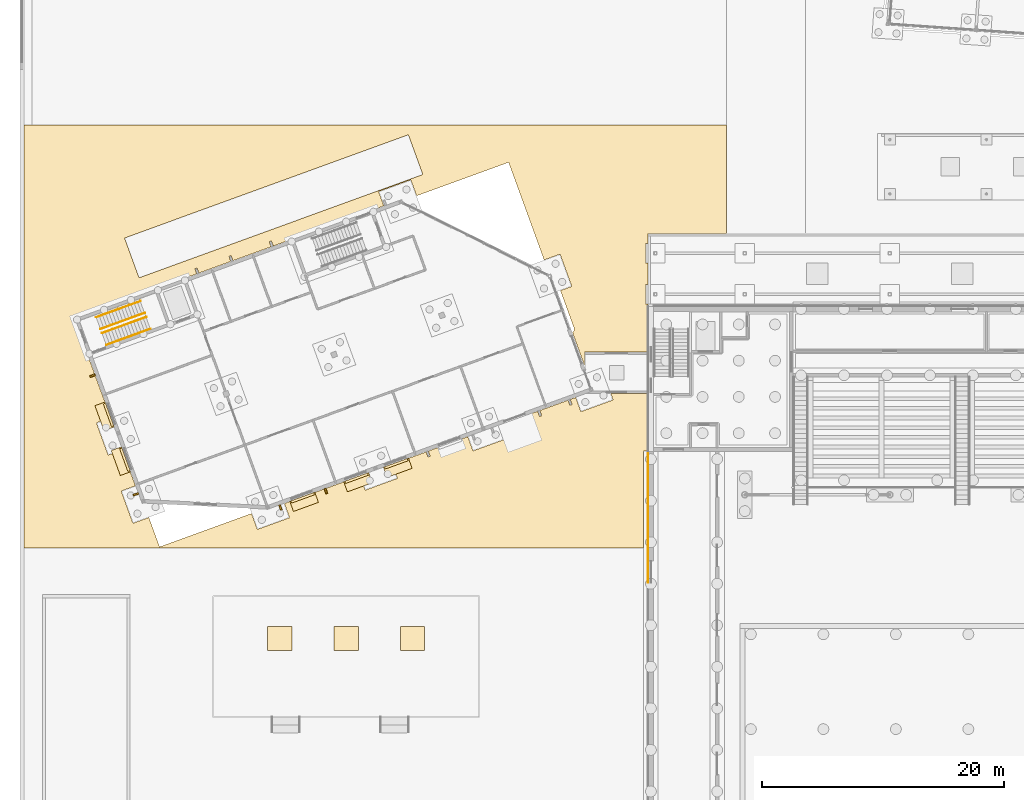
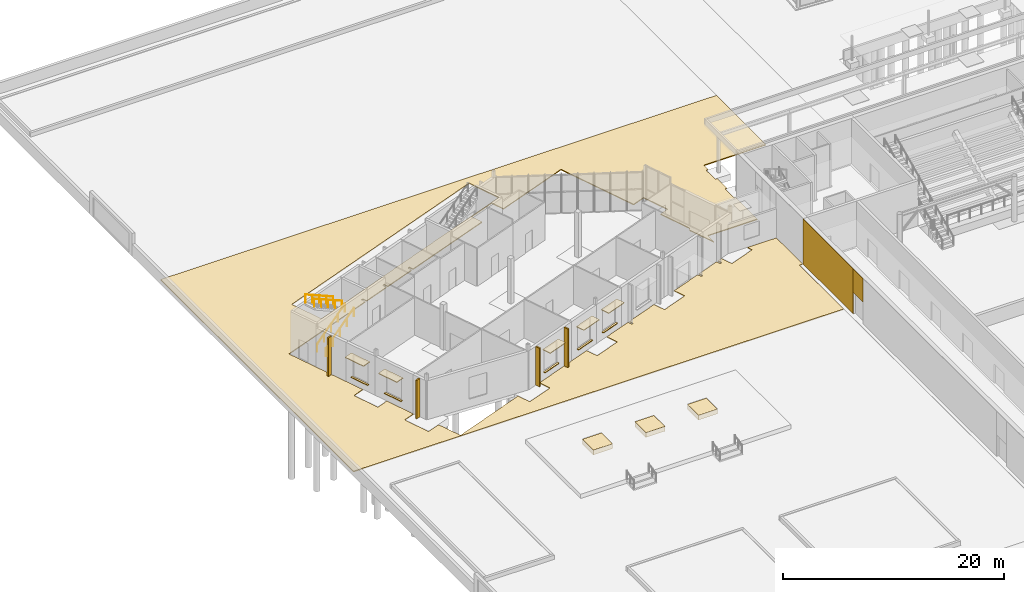
# One storey, part 134 of 157: 16 coverings, 4 railings, 4 shading devices.
"""IFC4 building model written with IfcOpenShell, lengths in metres."""

from ifc_helpers import new_model, si_unit, direction, frame, origin, origin_2d, place, context, subcontext, project, spatial, polyline, circle, outline, extrude, material, layer, layer_set, type_object, element, save


model = new_model("IFC4")

# Units and contexts
model_context = context("Model", 3, precision=1e-05, world=origin(), true_north=direction((0.0, 1.0)))
body_context = subcontext(model_context, "Body", "Model", "MODEL_VIEW")
ifc_project = project(units=[si_unit("LENGTHUNIT", "METRE"), si_unit("AREAUNIT", "SQUARE_METRE"), si_unit("VOLUMEUNIT", "CUBIC_METRE"), si_unit("PLANEANGLEUNIT", "RADIAN"), si_unit("MASSUNIT", "GRAM", prefix="KILO")], contexts=[model_context])

# Site, building, storey
site_placement = place(None, origin())
site = spatial("IfcSite", under=ifc_project, at=site_placement, CompositionType="ELEMENT")
building_placement = place(site_placement, origin())
building = spatial("IfcBuilding", under=site, at=building_placement, Name="Windward Yard Aquatics Centre", CompositionType="ELEMENT")
storey_placement = place(building_placement, origin())
storey = spatial("IfcBuildingStorey", under=building, at=storey_placement, Name="L00", CompositionType="ELEMENT", Elevation=0.0)

# Railings
ifc_material_1 = material(Name="Stainless steel 1.4401", Category="steel")
railing_type = type_object("IfcRailingType", Name="F handrail 900 stainless steel", PredefinedType="HANDRAIL", material=ifc_material_1)
railing_1_placement = place(storey_placement, frame((7.13818359375, 92.80224609375, 0.166748046875)))
element("IfcRailing", 1, at=railing_1_placement, inside=storey, type_object=railing_type, Name="F.RL.H.L00.S1.11", PredefinedType="HANDRAIL", context=body_context, shape_type="SweptSolid", body=[
    extrude(circle(Radius=0.02099609375, at=origin_2d()), frame((0.0, 0.0, 0.87890625), z_axis=(0.807473176695, 0.293918523754, 0.511467467502), x_axis=(-0.342043081867, 0.939684271523, 0.0)), (0.0, 0.0, 1.0), 4.561767578125),
    extrude(circle(Radius=0.01611328125, at=origin_2d()), origin(), (0.0, 0.0, 1.0), 0.85791015625),
    extrude(circle(Radius=0.01611328125, at=origin_2d()), frame((0.9208984375, 0.335205078125, 0.583251953125)), (0.0, 0.0, 1.0), 0.85791015625),
    extrude(circle(Radius=0.01611328125, at=origin_2d()), frame((1.841796875, 0.67041015625, 1.16650390625)), (0.0, 0.0, 1.0), 0.85791015625),
    extrude(circle(Radius=0.01611328125, at=origin_2d()), frame((2.7626953125, 1.005615234375, 1.75)), (0.0, 0.0, 1.0), 0.85791015625),
    extrude(circle(Radius=0.01611328125, at=origin_2d()), frame((3.68359375, 1.3408203125, 2.333251953125)), (0.0, 0.0, 1.0), 0.85791015625),
])
railing_2_placement = place(storey_placement, frame((6.782470703125, 93.779541015625, 0.166748046875)))
element("IfcRailing", 2, at=railing_2_placement, inside=storey, type_object=railing_type, Name="F.RL.H.L00.S1.12", PredefinedType="HANDRAIL", context=body_context, shape_type="SweptSolid", body=[
    extrude(circle(Radius=0.02099609375, at=origin_2d()), frame((0.0, 0.0, 0.87890625), z_axis=(0.807485877235, 0.293869628307, 0.511475512244), x_axis=(-0.34198808625, 0.939704287988, 0.0)), (0.0, 0.0, 1.0), 4.561767578125),
    extrude(circle(Radius=0.01611328125, at=origin_2d()), origin(), (0.0, 0.0, 1.0), 0.85791015625),
    extrude(circle(Radius=0.01611328125, at=origin_2d()), frame((0.9208984375, 0.335205078125, 0.583251953125)), (0.0, 0.0, 1.0), 0.85791015625),
    extrude(circle(Radius=0.01611328125, at=origin_2d()), frame((1.841796875, 0.67041015625, 1.16650390625)), (0.0, 0.0, 1.0), 0.85791015625),
    extrude(circle(Radius=0.01611328125, at=origin_2d()), frame((2.7626953125, 1.00537109375, 1.75)), (0.0, 0.0, 1.0), 0.85791015625),
    extrude(circle(Radius=0.01611328125, at=origin_2d()), frame((3.68359375, 1.340576171875, 2.333251953125)), (0.0, 0.0, 1.0), 0.85791015625),
])
railing_3_placement = place(storey_placement, frame((10.343017578125, 95.45849609375, 2.666748046875)))
element("IfcRailing", 3, at=railing_3_placement, inside=storey, type_object=railing_type, Name="F.RL.H.L00.S1.21", PredefinedType="HANDRAIL", context=body_context, shape_type="SweptSolid", body=[
    extrude(circle(Radius=0.02099609375, at=origin_2d()), frame((0.0, 0.0, 0.87890625), z_axis=(-0.807504498647, -0.293856929026, 0.511453409343), x_axis=(0.341968072062, -0.939711571542, 0.0)), (0.0, 0.0, 1.0), 4.56201171875),
    extrude(circle(Radius=0.01611328125, at=origin_2d()), origin(), (0.0, 0.0, 1.0), 0.85791015625),
    extrude(circle(Radius=0.01611328125, at=origin_2d()), frame((-0.9208984375, -0.335205078125, 0.583251953125)), (0.0, 0.0, 1.0), 0.85791015625),
    extrude(circle(Radius=0.01611328125, at=origin_2d()), frame((-1.841796875, -0.67041015625, 1.16650390625)), (0.0, 0.0, 1.0), 0.85791015625),
    extrude(circle(Radius=0.01611328125, at=origin_2d()), frame((-2.762939453125, -1.00537109375, 1.75)), (0.0, 0.0, 1.0), 0.85791015625),
    extrude(circle(Radius=0.01611328125, at=origin_2d()), frame((-3.683837890625, -1.340576171875, 2.333251953125)), (0.0, 0.0, 1.0), 0.85791015625),
])
railing_4_placement = place(storey_placement, frame((9.9873046875, 96.435791015625, 2.666748046875)))
element("IfcRailing", 4, at=railing_4_placement, inside=storey, type_object=railing_type, Name="F.RL.H.L00.S1.22", PredefinedType="HANDRAIL", context=body_context, shape_type="SweptSolid", body=[
    extrude(circle(Radius=0.02099609375, at=origin_2d()), frame((0.0, 0.0, 0.87890625), z_axis=(-0.807485877235, -0.293869628307, 0.511475512244), x_axis=(0.34198808625, -0.939704287988, 0.0)), (0.0, 0.0, 1.0), 4.561767578125),
    extrude(circle(Radius=0.01611328125, at=origin_2d()), origin(), (0.0, 0.0, 1.0), 0.85791015625),
    extrude(circle(Radius=0.01611328125, at=origin_2d()), frame((-0.9208984375, -0.335205078125, 0.583251953125)), (0.0, 0.0, 1.0), 0.85791015625),
    extrude(circle(Radius=0.01611328125, at=origin_2d()), frame((-1.841796875, -0.67041015625, 1.16650390625)), (0.0, 0.0, 1.0), 0.85791015625),
    extrude(circle(Radius=0.01611328125, at=origin_2d()), frame((-2.7626953125, -1.00537109375, 1.75)), (0.0, 0.0, 1.0), 0.85791015625),
    extrude(circle(Radius=0.01611328125, at=origin_2d()), frame((-3.68359375, -1.340576171875, 2.333251953125)), (0.0, 0.0, 1.0), 0.85791015625),
])

# Shading devices
ifc_material_2 = material(Name="Aluminium fin, powder coated", Category="aluminium")
shading_device_type = type_object("IfcShadingDeviceType", Name="F vertical fin 150x450", PredefinedType="USERDEFINED", material=ifc_material_2)
shading_device_1_placement = place(storey_placement, origin())
element("IfcShadingDevice", 5, at=shading_device_1_placement, inside=storey, type_object=shading_device_type, Name="Vertical fin F.WL.L00.E02.1.1", ObjectType="FIN", PredefinedType="USERDEFINED", context=body_context, shape_type="SweptSolid", body=[
    extrude(outline(polyline([(21.41357421875, 79.529296875), (21.5546875, 79.58056640625), (21.70849609375, 79.15771484375), (21.5673828125, 79.1064453125), (21.41357421875, 79.529296875)])), origin(), (0.0, 0.0, 1.0), 4.2529296875),
])
shading_device_2_placement = place(storey_placement, origin())
element("IfcShadingDevice", 6, at=shading_device_2_placement, inside=storey, type_object=shading_device_type, Name="Vertical fin F.WL.L00.E02.2.1", ObjectType="FIN", PredefinedType="USERDEFINED", context=body_context, shape_type="SweptSolid", body=[
    extrude(outline(polyline([(25.17236328125, 80.8974609375), (25.3134765625, 80.94873046875), (25.46728515625, 80.52587890625), (25.326416015625, 80.474609375), (25.17236328125, 80.8974609375)])), origin(), (0.0, 0.0, 1.0), 4.2529296875),
])
shading_device_3_placement = place(storey_placement, origin())
element("IfcShadingDevice", 7, at=shading_device_3_placement, inside=storey, type_object=shading_device_type, Name="Vertical fin F.WL.L00.E12.1.1", ObjectType="FIN", PredefinedType="USERDEFINED", context=body_context, shape_type="SweptSolid", body=[
    extrude(outline(polyline([(5.77783203125, 90.25341796875), (6.20068359375, 90.4072265625), (6.251953125, 90.266357421875), (5.8291015625, 90.1123046875), (5.77783203125, 90.25341796875)])), origin(), (0.0, 0.0, 1.0), 4.2529296875),
])
shading_device_4_placement = place(storey_placement, origin())
element("IfcShadingDevice", 8, at=shading_device_4_placement, inside=storey, type_object=shading_device_type, Name="Vertical fin F.WL.L00.E15.1.1", ObjectType="FIN", PredefinedType="USERDEFINED", context=body_context, shape_type="SweptSolid", body=[
    extrude(outline(polyline([(9.35205078125, 80.43359375), (9.77490234375, 80.58740234375), (9.826171875, 80.446533203125), (9.4033203125, 80.29248046875), (9.35205078125, 80.43359375)])), origin(), (0.0, 0.0, 1.0), 4.2529296875),
])

# Coverings
ifc_material_3 = material(Name="Aluminium composite hood, powder coated", Category="aluminium")
ifc_layer_1 = layer(ifc_material_3, 0.080078125)
ifc_layer_set_1 = layer_set([ifc_layer_1], Name="F window hood aluminium 2200x900")
covering_type_1 = type_object("IfcCoveringType", Name="F window hood aluminium 2200x900", PredefinedType="CLADDING", material=ifc_layer_set_1)
covering_1_placement = place(storey_placement, frame((0.0, 0.0, 3.35009765625)))
element("IfcCovering", 9, at=covering_1_placement, inside=storey, type_object=covering_type_1, Name="Window hood F0102", PredefinedType="CLADDING", context=body_context, shape_type="SweptSolid", body=[
    extrude(outline(polyline([(22.329833984375, 79.86279296875), (24.397216796875, 80.615234375), (24.705078125, 79.76953125), (22.6376953125, 79.01708984375), (22.329833984375, 79.86279296875)])), origin(), (0.0, 0.0, 1.0), 0.079833984375),
])
covering_2_placement = place(storey_placement, frame((0.0, 0.0, 3.35009765625)))
element("IfcCovering", 10, at=covering_2_placement, inside=storey, type_object=covering_type_1, Name="Window hood F0103", PredefinedType="CLADDING", context=body_context, shape_type="SweptSolid", body=[
    extrude(outline(polyline([(26.79345703125, 81.4873046875), (28.860595703125, 82.23974609375), (29.16845703125, 81.39404296875), (27.101318359375, 80.6416015625), (26.79345703125, 81.4873046875)])), origin(), (0.0, 0.0, 1.0), 0.079833984375),
])
covering_3_placement = place(storey_placement, frame((0.0, 0.0, 3.35009765625)))
element("IfcCovering", 11, at=covering_3_placement, inside=storey, type_object=covering_type_1, Name="Window hood F0104", PredefinedType="CLADDING", context=body_context, shape_type="SweptSolid", body=[
    extrude(outline(polyline([(30.082275390625, 82.684326171875), (32.149658203125, 83.43701171875), (32.45751953125, 82.591064453125), (30.39013671875, 81.838623046875), (30.082275390625, 82.684326171875)])), origin(), (0.0, 0.0, 1.0), 0.079833984375),
])
covering_4_placement = place(storey_placement, frame((0.0, 0.0, 3.35009765625)))
element("IfcCovering", 12, at=covering_4_placement, inside=storey, type_object=covering_type_1, Name="Window hood F0106", PredefinedType="CLADDING", context=body_context, shape_type="SweptSolid", body=[
    extrude(outline(polyline([(6.201416015625, 87.773681640625), (7.047119140625, 88.08154296875), (7.799560546875, 86.01416015625), (6.953857421875, 85.706298828125), (6.201416015625, 87.773681640625)])), origin(), (0.0, 0.0, 1.0), 0.079833984375),
])
covering_5_placement = place(storey_placement, frame((0.0, 0.0, 3.35009765625)))
element("IfcCovering", 13, at=covering_5_placement, inside=storey, type_object=covering_type_1, Name="Window hood F0107", PredefinedType="CLADDING", context=body_context, shape_type="SweptSolid", body=[
    extrude(outline(polyline([(7.552490234375, 84.061767578125), (8.398193359375, 84.36962890625), (9.150634765625, 82.30224609375), (8.304931640625, 81.994384765625), (7.552490234375, 84.061767578125)])), origin(), (0.0, 0.0, 1.0), 0.079833984375),
])
ifc_material_4 = material(Name="Limestone sill", Category="masonry")
ifc_layer_2 = layer(ifc_material_4, 0.080078125)
ifc_layer_set_2 = layer_set([ifc_layer_2], Name="F window sill stone 2000x200")
covering_type_2 = type_object("IfcCoveringType", Name="F window sill stone 2000x200", PredefinedType="CLADDING", material=ifc_layer_set_2)
covering_6_placement = place(storey_placement, frame((0.0, 0.0, 0.820068359375)))
element("IfcCovering", 14, at=covering_6_placement, inside=storey, type_object=covering_type_2, Name="Window sill F0102", PredefinedType="CLADDING", context=body_context, shape_type="SweptSolid", body=[
    extrude(outline(polyline([(22.423828125, 79.89697265625), (24.30322265625, 80.5810546875), (24.37158203125, 80.39306640625), (22.4921875, 79.708984375), (22.423828125, 79.89697265625)])), origin(), (0.0, 0.0, 1.0), 0.079833984375),
])
covering_7_placement = place(storey_placement, frame((0.0, 0.0, 0.820068359375)))
element("IfcCovering", 15, at=covering_7_placement, inside=storey, type_object=covering_type_2, Name="Window sill F0103", PredefinedType="CLADDING", context=body_context, shape_type="SweptSolid", body=[
    extrude(outline(polyline([(26.887451171875, 81.521484375), (28.7666015625, 82.20556640625), (28.835205078125, 82.017578125), (26.955810546875, 81.33349609375), (26.887451171875, 81.521484375)])), origin(), (0.0, 0.0, 1.0), 0.079833984375),
])
covering_8_placement = place(storey_placement, frame((0.0, 0.0, 0.820068359375)))
element("IfcCovering", 16, at=covering_8_placement, inside=storey, type_object=covering_type_2, Name="Window sill F0104", PredefinedType="CLADDING", context=body_context, shape_type="SweptSolid", body=[
    extrude(outline(polyline([(30.17626953125, 82.718505859375), (32.0556640625, 83.402587890625), (32.1240234375, 83.214599609375), (30.24462890625, 82.53076171875), (30.17626953125, 82.718505859375)])), origin(), (0.0, 0.0, 1.0), 0.079833984375),
])
covering_9_placement = place(storey_placement, frame((0.0, 0.0, 0.820068359375)))
element("IfcCovering", 17, at=covering_9_placement, inside=storey, type_object=covering_type_2, Name="Window sill F0106", PredefinedType="CLADDING", context=body_context, shape_type="SweptSolid", body=[
    extrude(outline(polyline([(6.8935546875, 87.919189453125), (7.081298828125, 87.987548828125), (7.765380859375, 86.108154296875), (7.577392578125, 86.039794921875), (6.8935546875, 87.919189453125)])), origin(), (0.0, 0.0, 1.0), 0.079833984375),
])
covering_10_placement = place(storey_placement, frame((0.0, 0.0, 0.820068359375)))
element("IfcCovering", 18, at=covering_10_placement, inside=storey, type_object=covering_type_2, Name="Window sill F0107", PredefinedType="CLADDING", context=body_context, shape_type="SweptSolid", body=[
    extrude(outline(polyline([(8.244384765625, 84.207275390625), (8.432373046875, 84.275634765625), (9.116455078125, 82.396240234375), (8.928466796875, 82.327880859375), (8.244384765625, 84.207275390625)])), origin(), (0.0, 0.0, 1.0), 0.079833984375),
])
ifc_material_5 = material(Name="Natural limestone cladding", Category="masonry")
ifc_layer_3 = layer(ifc_material_5, 0.0400390625)
ifc_layer_set_3 = layer_set([ifc_layer_3], Name="H natural stone cladding 40")
covering_type_3 = type_object("IfcCoveringType", Name="H natural stone cladding 40", PredefinedType="CLADDING", material=ifc_layer_set_3)
covering_11_placement = place(storey_placement, frame((0.0, 0.0, 2.39990234375)))
element("IfcCovering", 19, at=covering_11_placement, inside=storey, type_object=covering_type_3, Name="Stone cladding panel 214", PredefinedType="CLADDING", context=body_context, shape_type="SweptSolid", body=[
    extrude(outline(polyline([(51.9599609375, 73.10009765625), (52.0, 73.10009765625), (52.0, 74.89990234375), (51.9599609375, 74.89990234375), (51.9599609375, 73.10009765625)])), origin(), (0.0, 0.0, 1.0), 2.60009765625),
])
covering_12_placement = place(storey_placement, origin())
element("IfcCovering", 20, at=covering_12_placement, inside=storey, type_object=covering_type_3, Name="Stone cladding panel 215", PredefinedType="CLADDING", context=body_context, shape_type="SweptSolid", body=[
    extrude(outline(polyline([(51.9599609375, 74.89990234375), (52.0, 74.89990234375), (52.0, 84.0), (51.9599609375, 84.0), (51.9599609375, 74.89990234375)])), origin(), (0.0, 0.0, 1.0), 5.0),
])
ifc_material_6 = material(Name="Granite paving, flamed", Category="masonry")
ifc_layer_4 = layer(ifc_material_6, 0.10009765625)
ifc_layer_set_4 = layer_set([ifc_layer_4], Name="X Granite Paving 100")
covering_type_4 = type_object("IfcCoveringType", Name="X Granite Paving 100", PredefinedType="FLOORING", material=ifc_layer_set_4)
covering_13_placement = place(storey_placement, frame((0.0, 0.0, -0.10009765625)))
element("IfcCovering", 21, at=covering_13_placement, inside=storey, type_object=covering_type_4, Name="Foyer forecourt paving 1", PredefinedType="FLOORING", context=body_context, shape_type="SweptSolid", body=[
    extrude(outline(polyline([(0.320068359375, 76.0), (51.60498046875, 76.0), (51.60498046875, 84.0), (51.6064453125, 84.0078125), (51.609619140625, 84.0126953125), (51.615478515625, 84.017578125), (51.623046875, 84.02001953125), (51.93994140625, 84.02001953125), (51.93994140625, 88.780029296875), (48.902587890625, 88.780029296875), (49.087646484375, 88.271484375), (49.0888671875, 88.263916015625), (49.087646484375, 88.258056640625), (49.0849609375, 88.2529296875), (49.0791015625, 88.24755859375), (46.438720703125, 87.287109375), (46.430908203125, 87.2880859375), (46.42578125, 87.291015625), (46.418701171875, 87.30029296875), (45.998046875, 88.4560546875), (45.54248046875, 88.290283203125), (45.689453125, 87.885986328125), (45.690673828125, 87.87841796875), (45.688720703125, 87.870849609375), (45.68408203125, 87.864501953125), (45.677490234375, 87.860595703125), (45.53466796875, 87.80859375), (45.52490234375, 87.80859375), (45.514892578125, 87.814453125), (45.510986328125, 87.8212890625), (45.36376953125, 88.22509765625), (43.02880859375, 87.375244140625), (43.17578125, 86.97119140625), (43.177001953125, 86.96337890625), (43.175048828125, 86.955810546875), (43.17041015625, 86.94970703125), (43.163818359375, 86.945556640625), (43.02099609375, 86.893798828125), (43.01123046875, 86.893798828125), (43.001220703125, 86.899658203125), (42.997314453125, 86.90625), (42.85009765625, 87.310302734375), (39.73974609375, 86.177978515625), (40.160400390625, 85.022216796875), (40.16162109375, 85.0146484375), (40.159912109375, 85.007080078125), (40.1552734375, 85.000732421875), (40.1484375, 84.99658203125), (37.517333984375, 84.0390625), (37.509521484375, 84.037841796875), (37.498779296875, 84.041748046875), (37.49169921875, 84.051025390625), (37.071044921875, 85.206787109375), (33.796142578125, 84.014892578125), (33.943359375, 83.61083984375), (33.944580078125, 83.60302734375), (33.942626953125, 83.595458984375), (33.93798828125, 83.58935546875), (33.931396484375, 83.585205078125), (33.78857421875, 83.533203125), (33.77880859375, 83.533203125), (33.768798828125, 83.539306640625), (33.7646484375, 83.5458984375), (33.61767578125, 83.949951171875), (30.812744140625, 82.928955078125), (31.2333984375, 81.773193359375), (31.234619140625, 81.765380859375), (31.232666015625, 81.7578125), (31.22802734375, 81.751708984375), (31.221435546875, 81.74755859375), (28.59033203125, 80.789794921875), (28.58251953125, 80.788818359375), (28.57177734375, 80.79248046875), (28.564697265625, 80.802001953125), (28.14404296875, 81.957763671875), (25.339111328125, 80.936767578125), (25.486083984375, 80.53271484375), (25.4873046875, 80.52490234375), (25.4853515625, 80.517333984375), (25.480712890625, 80.510986328125), (25.47412109375, 80.507080078125), (25.331298828125, 80.455078125), (25.319580078125, 80.45556640625), (25.3115234375, 80.4609375), (25.3076171875, 80.4677734375), (25.160400390625, 80.87158203125), (21.885498046875, 79.6796875), (22.306396484375, 78.52392578125), (22.306884765625, 78.51220703125), (22.301025390625, 78.50244140625), (22.294189453125, 78.498291015625), (19.6630859375, 77.540771484375), (19.655517578125, 77.53955078125), (19.64794921875, 77.54150390625), (19.6416015625, 77.5458984375), (19.6376953125, 77.552734375), (19.16552734375, 78.849365234375), (11.572998046875, 76.0859375), (11.567138671875, 76.084716796875), (11.559326171875, 76.085693359375), (11.552734375, 76.08984375), (11.547119140625, 76.097900390625), (10.664794921875, 78.522216796875), (9.367919921875, 78.05029296875), (9.3603515625, 78.049072265625), (9.352783203125, 78.051025390625), (9.346435546875, 78.0556640625), (9.34228515625, 78.062255859375), (8.384765625, 80.693359375), (8.383544921875, 80.701171875), (8.387451171875, 80.7119140625), (8.396728515625, 80.718994140625), (9.552490234375, 81.1396484375), (8.4716796875, 84.109130859375), (7.31591796875, 83.6884765625), (7.30419921875, 83.687744140625), (7.29443359375, 83.693603515625), (7.290283203125, 83.700439453125), (6.33251953125, 86.33154296875), (6.331298828125, 86.33935546875), (6.333251953125, 86.346923828125), (6.337890625, 86.35302734375), (6.344482421875, 86.357177734375), (7.50048828125, 86.77783203125), (6.239990234375, 90.24072265625), (5.8359375, 90.093505859375), (5.828369140625, 90.09228515625), (5.8173828125, 90.09619140625), (5.811279296875, 90.103759765625), (5.759033203125, 90.24658203125), (5.7578125, 90.254150390625), (5.759765625, 90.26171875), (5.764404296875, 90.26806640625), (5.77099609375, 90.272216796875), (6.175048828125, 90.419189453125), (4.5146484375, 94.9814453125), (4.513916015625, 94.992919921875), (4.5185546875, 95.001708984375), (4.526611328125, 95.007080078125), (14.633056640625, 98.685302734375), (14.48583984375, 99.089599609375), (14.484619140625, 99.09716796875), (14.486572265625, 99.104736328125), (14.4912109375, 99.111083984375), (14.497802734375, 99.114990234375), (14.640625, 99.1669921875), (14.652099609375, 99.16650390625), (14.660400390625, 99.1611328125), (14.664306640625, 99.154296875), (14.8115234375, 98.75048828125), (17.4521484375, 99.71142578125), (17.304931640625, 100.115478515625), (17.3037109375, 100.123291015625), (17.3076171875, 100.13427734375), (17.315185546875, 100.140380859375), (17.4580078125, 100.1923828125), (17.465576171875, 100.193603515625), (17.47314453125, 100.19189453125), (17.4794921875, 100.187255859375), (17.4833984375, 100.180419921875), (17.630615234375, 99.776611328125), (20.7880859375, 100.92578125), (20.640869140625, 101.329833984375), (20.6396484375, 101.33740234375), (20.642578125, 101.3466796875), (20.65087890625, 101.3544921875), (20.793701171875, 101.40673828125), (20.801513671875, 101.407958984375), (20.80908203125, 101.406005859375), (20.815185546875, 101.4013671875), (20.8193359375, 101.394775390625), (20.966552734375, 100.990478515625), (30.114501953125, 104.3203125), (29.693603515625, 105.47607421875), (29.693115234375, 105.48779296875), (29.698974609375, 105.49755859375), (29.705810546875, 105.501708984375), (32.3369140625, 106.459228515625), (32.344482421875, 106.46044921875), (32.35205078125, 106.45849609375), (32.3583984375, 106.4541015625), (32.3623046875, 106.447265625), (32.83447265625, 105.150634765625), (40.427001953125, 107.9140625), (40.434814453125, 107.915283203125), (40.44580078125, 107.911376953125), (40.452880859375, 107.902099609375), (43.38720703125, 99.839599609375), (44.68408203125, 100.3115234375), (44.69189453125, 100.312744140625), (44.699462890625, 100.310791015625), (44.70556640625, 100.306396484375), (44.709716796875, 100.299560546875), (45.668701171875, 97.66259765625), (45.66796875, 97.65673828125), (45.664794921875, 97.64990234375), (45.655517578125, 97.642822265625), (44.734619140625, 97.3076171875), (45.25439453125, 95.87939453125), (45.273681640625, 95.822021484375), (45.29541015625, 95.7666015625), (45.85302734375, 94.23291015625), (45.863525390625, 94.19091796875), (45.869384765625, 94.150146484375), (45.871337890625, 94.111083984375), (45.869384765625, 94.06787109375), (45.863525390625, 94.029052734375), (45.853515625, 93.989013671875), (45.839111328125, 93.948486328125), (45.822265625, 93.912841796875), (45.80126953125, 93.87744140625), (45.775390625, 93.8427734375), (45.742431640625, 93.8076171875), (46.731689453125, 91.08935546875), (46.745361328125, 91.088623046875), (46.745361328125, 92.199951171875), (46.746826171875, 92.207763671875), (46.75, 92.212646484375), (46.755859375, 92.217529296875), (46.761474609375, 92.219482421875), (51.93994140625, 92.219970703125), (51.93994140625, 96.0), (51.943359375, 96.010986328125), (51.95068359375, 96.017578125), (51.9580078125, 96.02001953125), (51.97998046875, 96.02001953125), (51.97998046875, 96.179931640625), (51.798095703125, 96.18017578125), (51.792236328125, 96.181396484375), (51.785888671875, 96.185791015625), (51.781494140625, 96.1923828125), (51.780029296875, 96.197998046875), (51.780029296875, 97.800048828125), (51.781494140625, 97.8076171875), (51.784423828125, 97.812744140625), (51.79052734375, 97.817626953125), (51.798095703125, 97.81982421875), (51.97998046875, 97.820068359375), (51.97998046875, 99.580078125), (51.798095703125, 99.580078125), (51.792236328125, 99.58154296875), (51.785888671875, 99.5859375), (51.781494140625, 99.59228515625), (51.780029296875, 99.597900390625), (51.780029296875, 101.199951171875), (51.781494140625, 101.207763671875), (51.784423828125, 101.212646484375), (51.79052734375, 101.217529296875), (51.798095703125, 101.219970703125), (51.97998046875, 101.219970703125), (51.98095703125, 102.005859375), (51.9873046875, 102.015380859375), (51.994140625, 102.01904296875), (52.0, 102.02001953125), (58.5, 102.02001953125), (58.5, 111.0), (0.320068359375, 111.0), (0.320068359375, 76.0)]), holes=[polyline([(8.65380859375, 101.649169921875), (9.850830078125, 98.360107421875), (33.343017578125, 106.91064453125), (32.14599609375, 110.19970703125), (8.65380859375, 101.649169921875)])]), origin(), (0.0, 0.0, 1.0), 0.10009765625),
])
ifc_material_7 = material(Name="Planting soil")
ifc_layer_5 = layer(ifc_material_7, 0.448, Name="Planting")
ifc_material_8 = material(Name="Filter fabric")
ifc_layer_6 = layer(ifc_material_8, 0.002, Name="Filter")
ifc_material_9 = material(Name="Drainage board")
ifc_layer_7 = layer(ifc_material_9, 0.05, Name="Drainage")
ifc_layer_set_5 = layer_set([ifc_layer_5, ifc_layer_6, ifc_layer_7], Name="X Planting Bed Soil 400")
covering_type_5 = type_object("IfcCoveringType", Name="X Planting Bed Soil 400", PredefinedType="USERDEFINED", material=ifc_layer_set_5)
covering_14_placement = place(storey_placement, frame((0.0, 0.0, -0.10009765625)))
element("IfcCovering", 22, at=covering_14_placement, inside=storey, type_object=covering_type_5, Name="Learner terrace tree pit 1", ObjectType="PLANTING BED", PredefinedType="USERDEFINED", context=body_context, shape_type="SweptSolid", body=[
    extrude(outline(polyline([(20.5, 67.5), (22.5, 67.5), (22.5, 69.5), (20.5, 69.5), (20.5, 67.5)])), origin(), (0.0, 0.0, 1.0), 0.52001953125),
])
covering_15_placement = place(storey_placement, frame((0.0, 0.0, -0.10009765625)))
element("IfcCovering", 23, at=covering_15_placement, inside=storey, type_object=covering_type_5, Name="Learner terrace tree pit 2", ObjectType="PLANTING BED", PredefinedType="USERDEFINED", context=body_context, shape_type="SweptSolid", body=[
    extrude(outline(polyline([(26.0, 67.5), (28.0, 67.5), (28.0, 69.5), (26.0, 69.5), (26.0, 67.5)])), origin(), (0.0, 0.0, 1.0), 0.52001953125),
])
covering_16_placement = place(storey_placement, frame((0.0, 0.0, -0.10009765625)))
element("IfcCovering", 24, at=covering_16_placement, inside=storey, type_object=covering_type_5, Name="Learner terrace tree pit 3", ObjectType="PLANTING BED", PredefinedType="USERDEFINED", context=body_context, shape_type="SweptSolid", body=[
    extrude(outline(polyline([(31.5, 67.5), (33.5, 67.5), (33.5, 69.5), (31.5, 69.5), (31.5, 67.5)])), origin(), (0.0, 0.0, 1.0), 0.52001953125),
])

save(model, "model.ifc")
